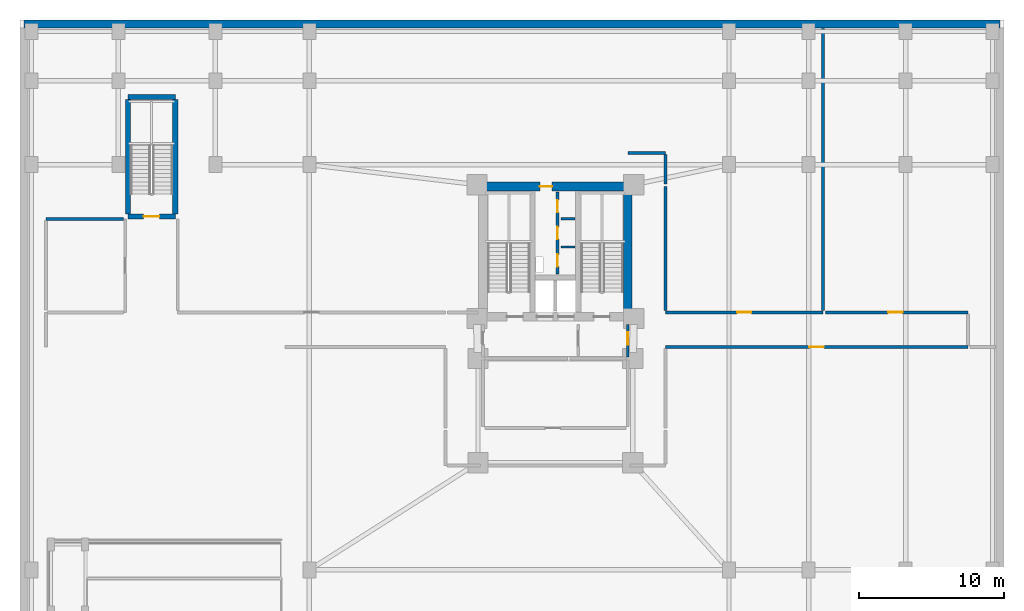
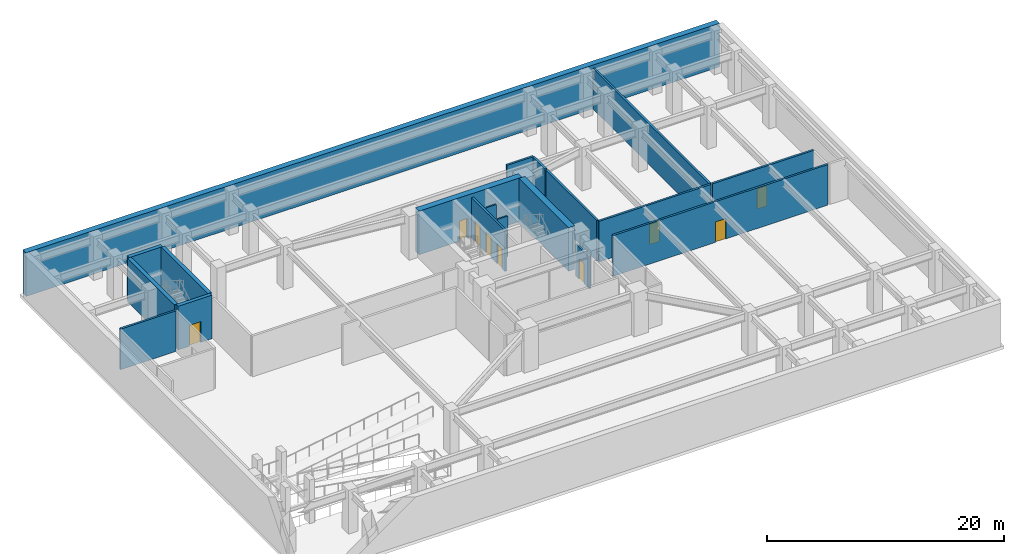
# One storey, part 5 of 8: 19 walls, 9 doors, 9 openings.
"""IFC4 building model written with IfcOpenShell, lengths in metres."""

from ifc_helpers import new_model, si_unit, direction, frame, frame_2d, origin, place, context, subcontext, project, spatial, rectangle, extrude, material, layer, layer_set, type_object, element, fill, save


model = new_model("IFC4")

# Units and contexts
model_context = context("Model", 3, precision=1e-05, world=origin(), true_north=direction((0.0, 1.0)))
body_context = subcontext(model_context, "Body", "Model", "MODEL_VIEW")
ifc_project = project(units=[si_unit("LENGTHUNIT", "METRE"), si_unit("AREAUNIT", "SQUARE_METRE"), si_unit("VOLUMEUNIT", "CUBIC_METRE"), si_unit("PLANEANGLEUNIT", "RADIAN"), si_unit("MASSUNIT", "GRAM", prefix="KILO")], contexts=[model_context])

# Site, building, storey
site_placement = place(None, origin())
site = spatial("IfcSite", under=ifc_project, at=site_placement, CompositionType="ELEMENT")
building_placement = place(site_placement, origin())
building = spatial("IfcBuilding", under=site, at=building_placement, Name="Varnakorn Sky Granary", CompositionType="ELEMENT")
storey_placement = place(building_placement, frame((0.0, 0.0, -4.5)))
storey = spatial("IfcBuildingStorey", under=building, at=storey_placement, Name="B01", CompositionType="ELEMENT", Elevation=-4.5)

# Wall, opening, door
ifc_material_1 = material(Name="Concrete C50/60", Category="concrete")
ifc_layer_1 = layer(ifc_material_1, 0.35009765625, Name="Concrete C50/60")
ifc_layer_set_1 = layer_set([ifc_layer_1], Name="Concrete C50/60")
wall_type_1 = type_object("IfcWallType", Name="WT-CW-INT-350", PredefinedType="SHEAR", material=ifc_layer_set_1)
wall_1_placement = place(storey_placement, frame((-26.550048828125, 10.419921875, 0.0), z_axis=(0.0, 0.0, 1.0), x_axis=(1.0, 0.0, 0.0)))
wall_1 = element("IfcWall", 1, at=wall_1_placement, inside=storey, type_object=wall_type_1, Name="Podium Stair ST-B3 South Wall B01", PredefinedType="SHEAR", context=body_context, shape_type="SweptSolid", body=[
    extrude(rectangle(XDim=3.280029296875, YDim=0.35009765625, at=frame_2d((1.64013671875, 0.0))), origin(), (0.0, 0.0, 1.0), 4.491943359375),
])
opening_1_placement = place(wall_1_placement, frame((1.090087890625, 0.0, 0.0)))
opening_1 = element("IfcOpeningElement", 2, at=opening_1_placement, cuts=wall_1, Name="Opening FD-90", PredefinedType="OPENING", context=body_context, shape_type="SweptSolid", body=[
    extrude(rectangle(XDim=1.10009765625, YDim=2.14990234375, at=frame_2d((0.550048828125, 1.074951171875))), frame((0.0, 0.18505859375, 0.0), z_axis=(0.0, -1.0, 0.0), x_axis=(1.0, 0.0, 0.0)), (0.0, 0.0, 1.0), 0.3701171875),
])
ifc_material_2 = material(Name="Galvanised Painted Steel Leaf", Category="steel")
door_type_1 = type_object("IfcDoorType", Name="DR-STAIR-1100", OperationType="NOTDEFINED", PredefinedType="DOOR", material=ifc_material_2)
door_1_placement = place(opening_1_placement, origin())
door_1 = element("IfcDoor", 3, at=door_1_placement, inside=storey, type_object=door_type_1, Name="Basement Stair ST-B3 Protected Fire Door B01", OperationType="SINGLE_SWING_LEFT", OverallHeight=2.14990234375, OverallWidth=1.10009765625, PredefinedType="DOOR", context=body_context, shape_type="SweptSolid", body=[
    extrude(rectangle(XDim=1.10009765625, YDim=2.14990234375, at=frame_2d((0.550048828125, 1.074951171875))), frame((0.0, 0.02490234375, 0.0), z_axis=(0.0, -1.0, 0.0), x_axis=(1.0, 0.0, 0.0)), (0.0, 0.0, 1.0), 0.050048828125),
])
fill(opening_1, door_1)

# Walls
wall_2_placement = place(storey_placement, frame((-26.550048828125, 18.679931640625, 0.0), z_axis=(0.0, 0.0, 1.0), x_axis=(1.0, 0.0, 0.0)))
element("IfcWall", 4, at=wall_2_placement, inside=storey, type_object=wall_type_1, Name="Podium Stair ST-B3 North Wall B01", PredefinedType="SHEAR", context=body_context, shape_type="SweptSolid", body=[
    extrude(rectangle(XDim=3.280029296875, YDim=0.35009765625, at=frame_2d((1.64013671875, 0.0))), origin(), (0.0, 0.0, 1.0), 4.491943359375),
])
for number, where, z_axis, x_axis, name in (
    (5, (-26.550048828125, 10.610107421875, 0.0), (0.0, 0.0, 1.0), (0.0, 1.0, 0.0), "Podium Stair ST-B3 West Wall B01"),
    (6, (-23.27001953125, 10.610107421875, 0.0), (0.0, 0.0, 1.0), (0.0, 1.0, 0.0), "Podium Stair ST-B3 East Wall B01"),
):
    element("IfcWall", number, at=place(storey_placement, frame(where, z_axis=z_axis, x_axis=x_axis)), inside=storey, type_object=wall_type_1, Name=name, PredefinedType="SHEAR", context=body_context, shape_type="SweptSolid", body=[
        extrude(rectangle(XDim=7.8798828125, YDim=0.35009765625, at=frame_2d((3.93994140625, 0.0))), origin(), (0.0, 0.0, 1.0), 4.491943359375),
    ])

# Wall, opening, door
ifc_material_3 = material(Name="Concrete C60/75", Category="concrete")
ifc_layer_2 = layer(ifc_material_3, 0.60009765625, Name="Concrete C60/75")
ifc_layer_set_2 = layer_set([ifc_layer_2], Name="Concrete C60/75")
wall_type_2 = type_object("IfcWallType", Name="WT-CW-SHEAR-600", PredefinedType="SHEAR", material=ifc_layer_set_2)
wall_3_placement = place(storey_placement, frame((-2.0, 12.5, 0.0), z_axis=(0.0, 0.0, 1.0), x_axis=(1.0, 0.0, 0.0)))
wall_3 = element("IfcWall", 7, at=wall_3_placement, inside=storey, type_object=wall_type_2, Name="Core North Shear Wall B01", PredefinedType="SHEAR", context=body_context, shape_type="SweptSolid", body=[
    extrude(rectangle(XDim=10.0, YDim=0.60009765625, at=frame_2d((5.0, 0.0))), origin(), (0.0, 0.0, 1.0), 4.491943359375),
])
opening_2_placement = place(wall_3_placement, frame((3.919921875, 0.0, 0.0)))
opening_2 = element("IfcOpeningElement", 8, at=opening_2_placement, cuts=wall_3, Name="Opening FD-60N", PredefinedType="OPENING", context=body_context, shape_type="SweptSolid", body=[
    extrude(rectangle(XDim=0.85009765625, YDim=2.10009765625, at=frame_2d((0.425048828125, 1.050048828125))), frame((0.0, 0.31005859375, 0.0), z_axis=(0.0, -1.0, 0.0), x_axis=(1.0, 0.0, 0.0)), (0.0, 0.0, 1.0), 0.6201171875),
])
ifc_material_4 = material(Name="Acoustic Timber Fire Leaf", Category="wood")
door_type_2 = type_object("IfcDoorType", Name="DR-FD60-850", OperationType="NOTDEFINED", PredefinedType="DOOR", material=ifc_material_4)
door_2_placement = place(opening_2_placement, origin())
door_2 = element("IfcDoor", 9, at=door_2_placement, inside=storey, type_object=door_type_2, Name="Core North Service Door B01", OperationType="SINGLE_SWING_LEFT", OverallHeight=2.10009765625, OverallWidth=0.85009765625, PredefinedType="DOOR", context=body_context, shape_type="SweptSolid", body=[
    extrude(rectangle(XDim=0.85009765625, YDim=2.10009765625, at=frame_2d((0.425048828125, 1.050048828125))), frame((0.0, 0.02490234375, 0.0), z_axis=(0.0, -1.0, 0.0), x_axis=(1.0, 0.0, 0.0)), (0.0, 0.0, 1.0), 0.050048828125),
])
fill(opening_2, door_2)

# Wall
wall_4_placement = place(storey_placement, frame((8.0, 3.81005859375, 0.0), z_axis=(0.0, 0.0, 1.0), x_axis=(0.0, 1.0, 0.0)))
element("IfcWall", 10, at=wall_4_placement, inside=storey, type_object=wall_type_2, Name="Core East Shear Wall B01", PredefinedType="SHEAR", context=body_context, shape_type="SweptSolid", body=[
    extrude(rectangle(XDim=8.3798828125, YDim=0.60009765625, at=frame_2d((4.18994140625, 0.0))), origin(), (0.0, 0.0, 1.0), 4.491943359375),
])

# Wall, openings, doors
ifc_material_5 = material(Name="Autoclaved Aerated Concrete Blockwork", Category="masonry")
ifc_layer_3 = layer(ifc_material_5, 0.199951171875, Name="Autoclaved Aerated Concrete Blockwork")
ifc_layer_set_3 = layer_set([ifc_layer_3], Name="Autoclaved Aerated Concrete Blockwork")
wall_type_3 = type_object("IfcWallType", Name="WT-FIRE-200", PredefinedType="MOVABLE", material=ifc_layer_set_3)
wall_5_placement = place(storey_placement, frame((3.14990234375, 6.449951171875, 0.0), z_axis=(0.0, 0.0, 1.0), x_axis=(0.0, 1.0, 0.0)))
wall_5 = element("IfcWall", 11, at=wall_5_placement, inside=storey, type_object=wall_type_3, Name="Interior Partition Wall B01-003", PredefinedType="MOVABLE", context=body_context, shape_type="SweptSolid", body=[
    extrude(rectangle(XDim=5.650146484375, YDim=0.199951171875, at=frame_2d((2.8251953125, 0.0))), origin(), (0.0, 0.0, 1.0), 4.179931640625),
])
opening_3_placement = place(wall_5_placement, frame((0.5, 0.0, 0.0)))
opening_3 = element("IfcOpeningElement", 12, at=opening_3_placement, cuts=wall_5, Name="Opening FD-60N", PredefinedType="OPENING", context=body_context, shape_type="SweptSolid", body=[
    extrude(rectangle(XDim=0.85009765625, YDim=2.10009765625, at=frame_2d((0.425048828125, 1.050048828125))), frame((0.0, 0.10986328125, 0.0), z_axis=(0.0, -1.0, 0.0), x_axis=(1.0, 0.0, 0.0)), (0.0, 0.0, 1.0), 0.219970703125),
])
opening_4_placement = place(wall_5_placement, frame((2.39990234375, 0.0, 0.0)))
opening_4 = element("IfcOpeningElement", 13, at=opening_4_placement, cuts=wall_5, Name="Opening FD-60N", PredefinedType="OPENING", context=body_context, shape_type="SweptSolid", body=[
    extrude(rectangle(XDim=0.85009765625, YDim=2.10009765625, at=frame_2d((0.425048828125, 1.050048828125))), frame((0.0, 0.10986328125, 0.0), z_axis=(0.0, -1.0, 0.0), x_axis=(1.0, 0.0, 0.0)), (0.0, 0.0, 1.0), 0.219970703125),
])
opening_5_placement = place(wall_5_placement, frame((4.25, 0.0, 0.0)))
opening_5 = element("IfcOpeningElement", 14, at=opening_5_placement, cuts=wall_5, Name="Opening FD-60N", PredefinedType="OPENING", context=body_context, shape_type="SweptSolid", body=[
    extrude(rectangle(XDim=0.85009765625, YDim=2.10009765625, at=frame_2d((0.425048828125, 1.050048828125))), frame((0.0, 0.10986328125, 0.0), z_axis=(0.0, -1.0, 0.0), x_axis=(1.0, 0.0, 0.0)), (0.0, 0.0, 1.0), 0.219970703125),
])
door_3_placement = place(opening_3_placement, origin())
door_3 = element("IfcDoor", 15, at=door_3_placement, inside=storey, type_object=door_type_2, Name="Interior Door B01-003-1", OperationType="SINGLE_SWING_RIGHT", OverallHeight=2.10009765625, OverallWidth=0.85009765625, PredefinedType="DOOR", context=body_context, shape_type="SweptSolid", body=[
    extrude(rectangle(XDim=0.85009765625, YDim=2.10009765625, at=frame_2d((0.425048828125, 1.050048828125))), frame((0.0, 0.02490234375, 0.0), z_axis=(0.0, -1.0, 0.0), x_axis=(1.0, 0.0, 0.0)), (0.0, 0.0, 1.0), 0.050048828125),
])
fill(opening_3, door_3)
door_4_placement = place(opening_4_placement, origin())
door_4 = element("IfcDoor", 16, at=door_4_placement, inside=storey, type_object=door_type_2, Name="Interior Door B01-003-2", OperationType="SINGLE_SWING_LEFT", OverallHeight=2.10009765625, OverallWidth=0.85009765625, PredefinedType="DOOR", context=body_context, shape_type="SweptSolid", body=[
    extrude(rectangle(XDim=0.85009765625, YDim=2.10009765625, at=frame_2d((0.425048828125, 1.050048828125))), frame((0.0, 0.02490234375, 0.0), z_axis=(0.0, -1.0, 0.0), x_axis=(1.0, 0.0, 0.0)), (0.0, 0.0, 1.0), 0.050048828125),
])
fill(opening_4, door_4)
door_5_placement = place(opening_5_placement, origin())
door_5 = element("IfcDoor", 17, at=door_5_placement, inside=storey, type_object=door_type_2, Name="Interior Door B01-003-3", OperationType="SINGLE_SWING_RIGHT", OverallHeight=2.10009765625, OverallWidth=0.85009765625, PredefinedType="DOOR", context=body_context, shape_type="SweptSolid", body=[
    extrude(rectangle(XDim=0.85009765625, YDim=2.10009765625, at=frame_2d((0.425048828125, 1.050048828125))), frame((0.0, 0.02490234375, 0.0), z_axis=(0.0, -1.0, 0.0), x_axis=(1.0, 0.0, 0.0)), (0.0, 0.0, 1.0), 0.050048828125),
])
fill(opening_5, door_5)

# Wall, opening, door
wall_6_placement = place(storey_placement, frame((8.0, 0.719970703125, 0.0), z_axis=(0.0, 0.0, 1.0), x_axis=(0.0, 1.0, 0.0)))
wall_6 = element("IfcWall", 18, at=wall_6_placement, inside=storey, type_object=wall_type_3, Name="Interior Partition Wall B01-006", PredefinedType="MOVABLE", context=body_context, shape_type="SweptSolid", body=[
    extrude(rectangle(XDim=2.25, YDim=0.199951171875, at=frame_2d((1.125, 0.0))), origin(), (0.0, 0.0, 1.0), 3.261962890625),
])
opening_6_placement = place(wall_6_placement, frame((0.844970703125, 0.0, 0.0)))
opening_6 = element("IfcOpeningElement", 19, at=opening_6_placement, cuts=wall_6, Name="Opening FD-60N", PredefinedType="OPENING", context=body_context, shape_type="SweptSolid", body=[
    extrude(rectangle(XDim=0.85009765625, YDim=2.10009765625, at=frame_2d((0.425048828125, 1.050048828125))), frame((0.0, 0.10986328125, 0.0), z_axis=(0.0, -1.0, 0.0), x_axis=(1.0, 0.0, 0.0)), (0.0, 0.0, 1.0), 0.219970703125),
])
door_6_placement = place(opening_6_placement, origin())
door_6 = element("IfcDoor", 20, at=door_6_placement, inside=storey, type_object=door_type_2, Name="Interior Door B01-006-1", OperationType="SINGLE_SWING_LEFT", OverallHeight=2.10009765625, OverallWidth=0.85009765625, PredefinedType="DOOR", context=body_context, shape_type="SweptSolid", body=[
    extrude(rectangle(XDim=0.85009765625, YDim=2.10009765625, at=frame_2d((0.425048828125, 1.050048828125))), frame((0.0, 0.02490234375, 0.0), z_axis=(0.0, -1.0, 0.0), x_axis=(1.0, 0.0, 0.0)), (0.0, 0.0, 1.0), 0.050048828125),
])
fill(opening_6, door_6)

wall_7_placement = place(storey_placement, frame((10.60009765625, 1.39990234375, 0.0), z_axis=(0.0, 0.0, 1.0), x_axis=(1.0, 0.0, 0.0)))
wall_7 = element("IfcWall", 21, at=wall_7_placement, inside=storey, type_object=wall_type_3, Name="Interior Partition Wall B01-008", PredefinedType="MOVABLE", context=body_context, shape_type="SweptSolid", body=[
    extrude(rectangle(XDim=20.89990234375, YDim=0.199951171875, at=frame_2d((10.449951171875, 0.0))), origin(), (0.0, 0.0, 1.0), 4.179931640625),
])
opening_7_placement = place(wall_7_placement, frame((9.949951171875, 0.0, 0.0)))
opening_7 = element("IfcOpeningElement", 22, at=opening_7_placement, cuts=wall_7, Name="Opening FD-60", PredefinedType="OPENING", context=body_context, shape_type="SweptSolid", body=[
    extrude(rectangle(XDim=1.0, YDim=2.10009765625, at=frame_2d((0.5, 1.050048828125))), frame((0.0, 0.10986328125, 0.0), z_axis=(0.0, -1.0, 0.0), x_axis=(1.0, 0.0, 0.0)), (0.0, 0.0, 1.0), 0.219970703125),
])
door_type_3 = type_object("IfcDoorType", Name="DR-FD60-1000", OperationType="NOTDEFINED", PredefinedType="DOOR", material=ifc_material_4)
door_7_placement = place(opening_7_placement, origin())
door_7 = element("IfcDoor", 23, at=door_7_placement, inside=storey, type_object=door_type_3, Name="Interior Door B01-008-1", OperationType="SINGLE_SWING_LEFT", OverallHeight=2.10009765625, OverallWidth=1.0, PredefinedType="DOOR", context=body_context, shape_type="SweptSolid", body=[
    extrude(rectangle(XDim=1.0, YDim=2.10009765625, at=frame_2d((0.5, 1.050048828125))), frame((0.0, 0.02490234375, 0.0), z_axis=(0.0, -1.0, 0.0), x_axis=(1.0, 0.0, 0.0)), (0.0, 0.0, 1.0), 0.050048828125),
])
fill(opening_7, door_7)

wall_8_placement = place(storey_placement, frame((21.5, 3.800048828125, 0.0), z_axis=(0.0, 0.0, 1.0), x_axis=(-1.0, 0.0, 0.0)))
wall_8 = element("IfcWall", 24, at=wall_8_placement, inside=storey, type_object=wall_type_3, Name="Interior Partition Wall B01-010", PredefinedType="MOVABLE", context=body_context, shape_type="SweptSolid", body=[
    extrude(rectangle(XDim=10.89990234375, YDim=0.199951171875, at=frame_2d((5.449951171875, 0.0))), origin(), (0.0, 0.0, 1.0), 4.179931640625),
])
opening_8_placement = place(wall_8_placement, frame((4.949951171875, 0.0, 0.0)))
opening_8 = element("IfcOpeningElement", 25, at=opening_8_placement, cuts=wall_8, Name="Opening FD-60", PredefinedType="OPENING", context=body_context, shape_type="SweptSolid", body=[
    extrude(rectangle(XDim=1.0, YDim=2.10009765625, at=frame_2d((0.5, 1.050048828125))), frame((0.0, 0.10986328125, 0.0), z_axis=(0.0, -1.0, 0.0), x_axis=(1.0, 0.0, 0.0)), (0.0, 0.0, 1.0), 0.219970703125),
])
door_8_placement = place(opening_8_placement, origin())
door_8 = element("IfcDoor", 26, at=door_8_placement, inside=storey, type_object=door_type_3, Name="Interior Door B01-010-1", OperationType="SINGLE_SWING_LEFT", OverallHeight=2.10009765625, OverallWidth=1.0, PredefinedType="DOOR", context=body_context, shape_type="SweptSolid", body=[
    extrude(rectangle(XDim=1.0, YDim=2.10009765625, at=frame_2d((0.5, 1.050048828125))), frame((0.0, 0.02490234375, 0.0), z_axis=(0.0, -1.0, 0.0), x_axis=(1.0, 0.0, 0.0)), (0.0, 0.0, 1.0), 0.050048828125),
])
fill(opening_8, door_8)

wall_9_placement = place(storey_placement, frame((31.5, 3.800048828125, 0.0), z_axis=(0.0, 0.0, 1.0), x_axis=(-1.0, 0.0, 0.0)))
wall_9 = element("IfcWall", 27, at=wall_9_placement, inside=storey, type_object=wall_type_3, Name="Interior Partition Wall B01-011", PredefinedType="MOVABLE", context=body_context, shape_type="SweptSolid", body=[
    extrude(rectangle(XDim=9.840087890625, YDim=0.199951171875, at=frame_2d((4.919921875, 0.0))), origin(), (0.0, 0.0, 1.0), 4.179931640625),
])
opening_9_placement = place(wall_9_placement, frame((4.5, 0.0, 0.0)))
opening_9 = element("IfcOpeningElement", 28, at=opening_9_placement, cuts=wall_9, Name="Opening FD-60", PredefinedType="OPENING", context=body_context, shape_type="SweptSolid", body=[
    extrude(rectangle(XDim=1.0, YDim=2.10009765625, at=frame_2d((0.5, 1.050048828125))), frame((0.0, 0.10986328125, 0.0), z_axis=(0.0, -1.0, 0.0), x_axis=(1.0, 0.0, 0.0)), (0.0, 0.0, 1.0), 0.219970703125),
])
door_9_placement = place(opening_9_placement, origin())
door_9 = element("IfcDoor", 29, at=door_9_placement, inside=storey, type_object=door_type_3, Name="Interior Door B01-011-1", OperationType="SINGLE_SWING_RIGHT", OverallHeight=2.10009765625, OverallWidth=1.0, PredefinedType="DOOR", context=body_context, shape_type="SweptSolid", body=[
    extrude(rectangle(XDim=1.0, YDim=2.10009765625, at=frame_2d((0.5, 1.050048828125))), frame((0.0, 0.02490234375, 0.0), z_axis=(0.0, -1.0, 0.0), x_axis=(1.0, 0.0, 0.0)), (0.0, 0.0, 1.0), 0.050048828125),
])
fill(opening_9, door_9)

# Walls
wall_10_placement = place(storey_placement, frame((10.60009765625, 3.909912109375, 0.0), z_axis=(0.0, 0.0, 1.0), x_axis=(0.0, 1.0, 0.0)))
element("IfcWall", 30, at=wall_10_placement, inside=storey, type_object=wall_type_3, Name="Interior Partition Wall B01-029", PredefinedType="MOVABLE", context=body_context, shape_type="SweptSolid", body=[
    extrude(rectangle(XDim=8.590087890625, YDim=0.199951171875, at=frame_2d((4.294921875, 0.0))), origin(), (0.0, 0.0, 1.0), 4.179931640625),
])
wall_11_placement = place(storey_placement, frame((10.60009765625, 14.800048828125, 0.0), z_axis=(0.0, 0.0, 1.0), x_axis=(-1.0, 0.0, 0.0)))
element("IfcWall", 31, at=wall_11_placement, inside=storey, type_object=wall_type_3, Name="Interior Partition Wall B01-030", PredefinedType="MOVABLE", context=body_context, shape_type="SweptSolid", body=[
    extrude(rectangle(XDim=2.60009765625, YDim=0.199951171875, at=frame_2d((1.300048828125, 0.0))), origin(), (0.0, 0.0, 1.0), 4.179931640625),
])
wall_12_placement = place(storey_placement, frame((10.60009765625, 12.659912109375, 0.0), z_axis=(0.0, 0.0, 1.0), x_axis=(0.0, 1.0, 0.0)))
element("IfcWall", 32, at=wall_12_placement, inside=storey, type_object=wall_type_3, Name="Interior Partition Wall B01-031", PredefinedType="MOVABLE", context=body_context, shape_type="SweptSolid", body=[
    extrude(rectangle(XDim=2.030029296875, YDim=0.199951171875, at=frame_2d((1.01513671875, 0.0))), origin(), (0.0, 0.0, 1.0), 4.179931640625),
])
wall_13_placement = place(storey_placement, frame((-26.840087890625, 10.25, 0.0), z_axis=(0.0, 0.0, 1.0), x_axis=(-1.0, 0.0, 0.0)))
element("IfcWall", 33, at=wall_13_placement, inside=storey, type_object=wall_type_3, Name="Interior Partition Wall B01-035", PredefinedType="MOVABLE", context=body_context, shape_type="SweptSolid", body=[
    extrude(rectangle(XDim=5.35986328125, YDim=0.199951171875, at=frame_2d((2.679931640625, 0.0))), origin(), (0.0, 0.0, 1.0), 4.179931640625),
])
wall_14_placement = place(storey_placement, frame((21.5, 23.4150390625, 0.0), z_axis=(0.0, 0.0, 1.0), x_axis=(0.0, -1.0, 0.0)))
element("IfcWall", 34, at=wall_14_placement, inside=storey, type_object=wall_type_3, Name="Interior Partition Wall B01-037", PredefinedType="MOVABLE", context=body_context, shape_type="SweptSolid", body=[
    extrude(rectangle(XDim=19.505126953125, YDim=0.199951171875, at=frame_2d((9.75244140625, 0.0))), origin(), (0.0, 0.0, 1.0), 4.179931640625),
])
ifc_material_6 = material(Name="Gypsum Plasterboard on Steel Stud", Category="steel")
ifc_layer_4 = layer(ifc_material_6, 0.14990234375, Name="Gypsum Plasterboard on Steel Stud")
ifc_layer_set_4 = layer_set([ifc_layer_4], Name="Gypsum Plasterboard on Steel Stud")
wall_type_4 = type_object("IfcWallType", Name="WT-PART-150", PredefinedType="PARTITIONING", material=ifc_layer_set_4)
for number, where, z_axis, x_axis, name in (
    (35, (3.3701171875, 8.320068359375, 0.0), (0.0, 0.0, 1.0), (1.0, 0.0, 0.0), "Interior Partition Wall B01-013"),
    (36, (3.3701171875, 10.260009765625, 0.0), (0.0, 0.0, 1.0), (1.0, 0.0, 0.0), "Interior Partition Wall B01-014"),
):
    element("IfcWall", number, at=place(storey_placement, frame(where, z_axis=z_axis, x_axis=x_axis)), inside=storey, type_object=wall_type_4, Name=name, PredefinedType="PARTITIONING", context=body_context, shape_type="SweptSolid", body=[
        extrude(rectangle(XDim=0.97998046875, YDim=0.14990234375, at=frame_2d((0.489990234375, 0.0))), origin(), (0.0, 0.0, 1.0), 4.179931640625),
    ])
ifc_layer_5 = layer(ifc_material_1, 0.550048828125, Name="Concrete C50/60")
ifc_layer_set_5 = layer_set([ifc_layer_5], Name="Concrete C50/60")
wall_type_5 = type_object("IfcWallType", Name="WT-RW-BSMT-550", PredefinedType="SOLIDWALL", material=ifc_layer_set_5)
wall_15_placement = place(storey_placement, frame((-33.72509765625, 23.72509765625, 0.0), z_axis=(0.0, 0.0, 1.0), x_axis=(1.0, 0.0, 0.0)))
element("IfcWall", 37, at=wall_15_placement, inside=storey, type_object=wall_type_5, Name="Basement Perimeter Retaining Wall B01-N", PredefinedType="SOLIDWALL", context=body_context, shape_type="SweptSolid", body=[
    extrude(rectangle(XDim=67.4501953125, YDim=0.550048828125, at=frame_2d((33.72509765625, 0.0))), origin(), (0.0, 0.0, 1.0), 4.491943359375),
])

save(model, "model.ifc")
